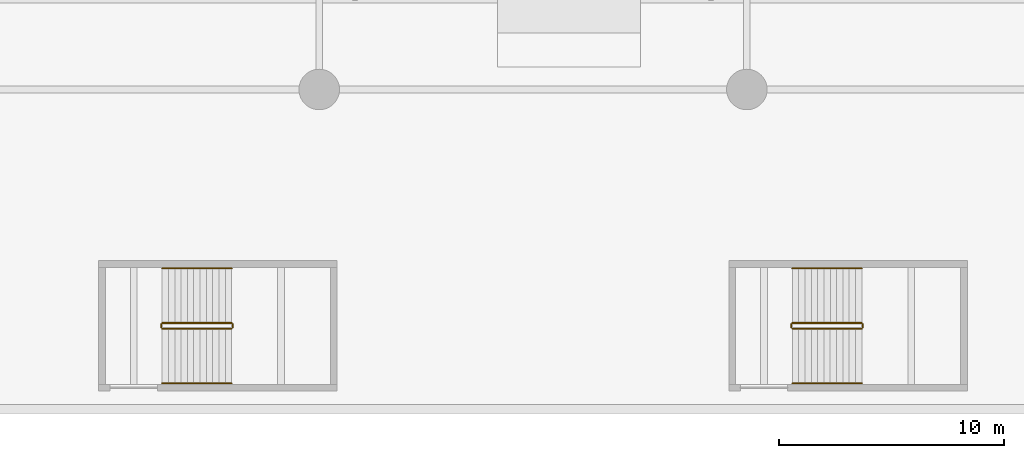
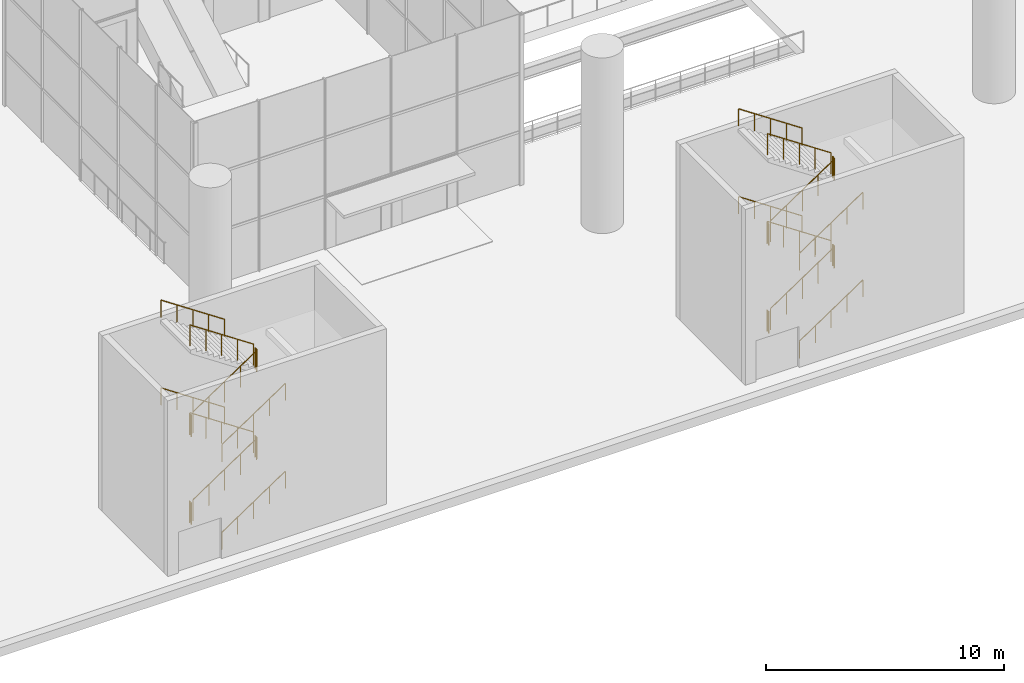
# One storey, part 28 of 37: 24 railings.
"""IFC4 building model written with IfcOpenShell, lengths in metres."""

from ifc_helpers import new_model, si_unit, direction, frame, origin, origin_2d, place, context, subcontext, project, spatial, circle, extrude, material, type_object, element, save


model = new_model("IFC4")

# Units and contexts
model_context = context("Model", 3, precision=1e-05, world=origin(), true_north=direction((0.0, 1.0)))
body_context = subcontext(model_context, "Body", "Model", "MODEL_VIEW")
ifc_project = project(units=[si_unit("LENGTHUNIT", "METRE"), si_unit("AREAUNIT", "SQUARE_METRE"), si_unit("VOLUMEUNIT", "CUBIC_METRE"), si_unit("PLANEANGLEUNIT", "RADIAN"), si_unit("MASSUNIT", "GRAM", prefix="KILO")], contexts=[model_context])

# Site, building, storey
site_placement = place(None, origin())
site = spatial("IfcSite", under=ifc_project, at=site_placement, CompositionType="ELEMENT")
building_placement = place(site_placement, origin())
building = spatial("IfcBuilding", under=site, at=building_placement, Name="Tel Ilan Convention Tower", CompositionType="ELEMENT")
storey_placement = place(building_placement, origin())
storey = spatial("IfcBuildingStorey", under=building, at=storey_placement, Name="L00", CompositionType="ELEMENT", Elevation=0.0)

# Railings
ifc_material_1 = material(Name="Stainless Steel Grade 316", Category="steel")
railing_type_1 = type_object("IfcRailingType", Name="Stainless Steel Stair Guard 1100 mm", PredefinedType="GUARDRAIL", material=ifc_material_1)
railing_1_placement = place(storey_placement, frame((-16.47509765625, -78.625, 0.1875)))
element("IfcRailing", 1, at=railing_1_placement, inside=storey, type_object=railing_type_1, Name="L00 P2 stair guard 1", PredefinedType="GUARDRAIL", context=body_context, shape_type="SweptSolid", body=[
    extrude(circle(Radius=0.02392578125, at=origin_2d()), frame((0.0, 0.0, 1.076171875), z_axis=(0.830913701846, 0.0, 0.55640131208), x_axis=(0.0, 1.0, 0.0)), (0.0, 0.0, 1.0), 3.706787109375),
    extrude(circle(Radius=0.02099609375, at=origin_2d()), origin(), (0.0, 0.0, 1.0), 1.052001953125),
    extrude(circle(Radius=0.02099609375, at=origin_2d()), frame((0.77001953125, 0.0, 0.515625)), (0.0, 0.0, 1.0), 1.052001953125),
    extrude(circle(Radius=0.02099609375, at=origin_2d()), frame((1.5400390625, 0.0, 1.03125)), (0.0, 0.0, 1.0), 1.052001953125),
    extrude(circle(Radius=0.02099609375, at=origin_2d()), frame((2.31005859375, 0.0, 1.546875)), (0.0, 0.0, 1.0), 1.052001953125),
    extrude(circle(Radius=0.02099609375, at=origin_2d()), frame((3.080078125, 0.0, 2.0625)), (0.0, 0.0, 1.0), 1.052001953125),
])
railing_2_placement = place(storey_placement, frame((-13.344970703125, -78.574951171875, 2.25)))
element("IfcRailing", 2, at=railing_2_placement, inside=storey, type_object=railing_type_1, Name="L00 P2 stair guard 2", PredefinedType="GUARDRAIL", context=body_context, shape_type="SweptSolid", body=[
    extrude(circle(Radius=0.02392578125, at=origin_2d()), frame((0.0, 0.0, 1.076171875), z_axis=(0.0, 1.0, 0.0), x_axis=(-1.0, 0.0, 0.0)), (0.0, 0.0, 1.0), 0.14990234375),
    extrude(circle(Radius=0.02099609375, at=origin_2d()), origin(), (0.0, 0.0, 1.0), 1.052001953125),
    extrude(circle(Radius=0.02099609375, at=origin_2d()), frame((0.0, 0.14990234375, 0.0)), (0.0, 0.0, 1.0), 1.052001953125),
])
railing_3_placement = place(storey_placement, frame((-13.39501953125, -78.375, 2.4375)))
element("IfcRailing", 3, at=railing_3_placement, inside=storey, type_object=railing_type_1, Name="L00 P2 stair guard 3", PredefinedType="GUARDRAIL", context=body_context, shape_type="SweptSolid", body=[
    extrude(circle(Radius=0.02392578125, at=origin_2d()), frame((0.0, 0.0, 1.076171875), z_axis=(-0.830913701846, 0.0, 0.55640131208), x_axis=(0.0, -1.0, 0.0)), (0.0, 0.0, 1.0), 3.706787109375),
    extrude(circle(Radius=0.02099609375, at=origin_2d()), origin(), (0.0, 0.0, 1.0), 1.052001953125),
    extrude(circle(Radius=0.02099609375, at=origin_2d()), frame((-0.77001953125, 0.0, 0.515625)), (0.0, 0.0, 1.0), 1.052001953125),
    extrude(circle(Radius=0.02099609375, at=origin_2d()), frame((-1.5400390625, 0.0, 1.03125)), (0.0, 0.0, 1.0), 1.052001953125),
    extrude(circle(Radius=0.02099609375, at=origin_2d()), frame((-2.31005859375, 0.0, 1.546875)), (0.0, 0.0, 1.0), 1.052001953125),
    extrude(circle(Radius=0.02099609375, at=origin_2d()), frame((-3.080078125, 0.0, 2.0625)), (0.0, 0.0, 1.0), 1.052001953125),
])
railing_4_placement = place(storey_placement, frame((-16.52490234375, -78.574951171875, 4.5)))
element("IfcRailing", 4, at=railing_4_placement, inside=storey, type_object=railing_type_1, Name="L00 P2 stair guard 4", PredefinedType="GUARDRAIL", context=body_context, shape_type="SweptSolid", body=[
    extrude(circle(Radius=0.02392578125, at=origin_2d()), frame((0.0, 0.0, 1.076171875), z_axis=(0.0, 1.0, 0.0), x_axis=(-1.0, 0.0, 0.0)), (0.0, 0.0, 1.0), 0.14990234375),
    extrude(circle(Radius=0.02099609375, at=origin_2d()), origin(), (0.0, 0.0, 1.0), 1.052001953125),
    extrude(circle(Radius=0.02099609375, at=origin_2d()), frame((0.0, 0.14990234375, 0.0)), (0.0, 0.0, 1.0), 1.052001953125),
])
railing_5_placement = place(storey_placement, frame((-16.47509765625, -78.625, 4.6875)))
element("IfcRailing", 5, at=railing_5_placement, inside=storey, type_object=railing_type_1, Name="L00 P2 stair guard 5", PredefinedType="GUARDRAIL", context=body_context, shape_type="SweptSolid", body=[
    extrude(circle(Radius=0.02392578125, at=origin_2d()), frame((0.0, 0.0, 1.076171875), z_axis=(0.830913701846, 0.0, 0.55640131208), x_axis=(0.0, 1.0, 0.0)), (0.0, 0.0, 1.0), 3.706787109375),
    extrude(circle(Radius=0.02099609375, at=origin_2d()), origin(), (0.0, 0.0, 1.0), 1.052001953125),
    extrude(circle(Radius=0.02099609375, at=origin_2d()), frame((0.77001953125, 0.0, 0.515625)), (0.0, 0.0, 1.0), 1.052001953125),
    extrude(circle(Radius=0.02099609375, at=origin_2d()), frame((1.5400390625, 0.0, 1.03125)), (0.0, 0.0, 1.0), 1.052001953125),
    extrude(circle(Radius=0.02099609375, at=origin_2d()), frame((2.31005859375, 0.0, 1.546875)), (0.0, 0.0, 1.0), 1.052001953125),
    extrude(circle(Radius=0.02099609375, at=origin_2d()), frame((3.080078125, 0.0, 2.0625)), (0.0, 0.0, 1.0), 1.052001953125),
])
railing_6_placement = place(storey_placement, frame((-13.344970703125, -78.574951171875, 6.75)))
element("IfcRailing", 6, at=railing_6_placement, inside=storey, type_object=railing_type_1, Name="L00 P2 stair guard 6", PredefinedType="GUARDRAIL", context=body_context, shape_type="SweptSolid", body=[
    extrude(circle(Radius=0.02392578125, at=origin_2d()), frame((0.0, 0.0, 1.076171875), z_axis=(0.0, 1.0, 0.0), x_axis=(-1.0, 0.0, 0.0)), (0.0, 0.0, 1.0), 0.14990234375),
    extrude(circle(Radius=0.02099609375, at=origin_2d()), origin(), (0.0, 0.0, 1.0), 1.052001953125),
    extrude(circle(Radius=0.02099609375, at=origin_2d()), frame((0.0, 0.14990234375, 0.0)), (0.0, 0.0, 1.0), 1.052001953125),
])
railing_7_placement = place(storey_placement, frame((-13.39501953125, -78.375, 6.9375)))
element("IfcRailing", 7, at=railing_7_placement, inside=storey, type_object=railing_type_1, Name="L00 P2 stair guard 7", PredefinedType="GUARDRAIL", context=body_context, shape_type="SweptSolid", body=[
    extrude(circle(Radius=0.02392578125, at=origin_2d()), frame((0.0, 0.0, 1.076171875), z_axis=(-0.830913701846, 0.0, 0.55640131208), x_axis=(0.0, -1.0, 0.0)), (0.0, 0.0, 1.0), 3.706787109375),
    extrude(circle(Radius=0.02099609375, at=origin_2d()), origin(), (0.0, 0.0, 1.0), 1.052001953125),
    extrude(circle(Radius=0.02099609375, at=origin_2d()), frame((-0.77001953125, 0.0, 0.515625)), (0.0, 0.0, 1.0), 1.052001953125),
    extrude(circle(Radius=0.02099609375, at=origin_2d()), frame((-1.5400390625, 0.0, 1.03125)), (0.0, 0.0, 1.0), 1.052001953125),
    extrude(circle(Radius=0.02099609375, at=origin_2d()), frame((-2.31005859375, 0.0, 1.546875)), (0.0, 0.0, 1.0), 1.052001953125),
    extrude(circle(Radius=0.02099609375, at=origin_2d()), frame((-3.080078125, 0.0, 2.0625)), (0.0, 0.0, 1.0), 1.052001953125),
])
railing_8_placement = place(storey_placement, frame((-16.52490234375, -78.574951171875, 0.0)))
element("IfcRailing", 8, at=railing_8_placement, inside=storey, type_object=railing_type_1, Name="L00 P2 stair guard 8", PredefinedType="GUARDRAIL", context=body_context, shape_type="SweptSolid", body=[
    extrude(circle(Radius=0.02392578125, at=origin_2d()), frame((0.0, 0.0, 1.076171875), z_axis=(0.0, 1.0, 0.0), x_axis=(-1.0, 0.0, 0.0)), (0.0, 0.0, 1.0), 0.14990234375),
    extrude(circle(Radius=0.02099609375, at=origin_2d()), origin(), (0.0, 0.0, 1.0), 1.052001953125),
    extrude(circle(Radius=0.02099609375, at=origin_2d()), frame((0.0, 0.14990234375, 0.0)), (0.0, 0.0, 1.0), 1.052001953125),
])
railing_9_placement = place(storey_placement, frame((11.52490234375, -78.625, 0.1875)))
element("IfcRailing", 9, at=railing_9_placement, inside=storey, type_object=railing_type_1, Name="L00 P3 stair guard 1", PredefinedType="GUARDRAIL", context=body_context, shape_type="SweptSolid", body=[
    extrude(circle(Radius=0.02392578125, at=origin_2d()), frame((0.0, 0.0, 1.076171875), z_axis=(0.830913701846, 0.0, 0.55640131208), x_axis=(0.0, 1.0, 0.0)), (0.0, 0.0, 1.0), 3.706787109375),
    extrude(circle(Radius=0.02099609375, at=origin_2d()), origin(), (0.0, 0.0, 1.0), 1.052001953125),
    extrude(circle(Radius=0.02099609375, at=origin_2d()), frame((0.77001953125, 0.0, 0.515625)), (0.0, 0.0, 1.0), 1.052001953125),
    extrude(circle(Radius=0.02099609375, at=origin_2d()), frame((1.5400390625, 0.0, 1.03125)), (0.0, 0.0, 1.0), 1.052001953125),
    extrude(circle(Radius=0.02099609375, at=origin_2d()), frame((2.31005859375, 0.0, 1.546875)), (0.0, 0.0, 1.0), 1.052001953125),
    extrude(circle(Radius=0.02099609375, at=origin_2d()), frame((3.080078125, 0.0, 2.0625)), (0.0, 0.0, 1.0), 1.052001953125),
])
railing_10_placement = place(storey_placement, frame((14.655029296875, -78.574951171875, 2.25)))
element("IfcRailing", 10, at=railing_10_placement, inside=storey, type_object=railing_type_1, Name="L00 P3 stair guard 2", PredefinedType="GUARDRAIL", context=body_context, shape_type="SweptSolid", body=[
    extrude(circle(Radius=0.02392578125, at=origin_2d()), frame((0.0, 0.0, 1.076171875), z_axis=(0.0, 1.0, 0.0), x_axis=(-1.0, 0.0, 0.0)), (0.0, 0.0, 1.0), 0.14990234375),
    extrude(circle(Radius=0.02099609375, at=origin_2d()), origin(), (0.0, 0.0, 1.0), 1.052001953125),
    extrude(circle(Radius=0.02099609375, at=origin_2d()), frame((0.0, 0.14990234375, 0.0)), (0.0, 0.0, 1.0), 1.052001953125),
])
railing_11_placement = place(storey_placement, frame((14.60498046875, -78.375, 2.4375)))
element("IfcRailing", 11, at=railing_11_placement, inside=storey, type_object=railing_type_1, Name="L00 P3 stair guard 3", PredefinedType="GUARDRAIL", context=body_context, shape_type="SweptSolid", body=[
    extrude(circle(Radius=0.02392578125, at=origin_2d()), frame((0.0, 0.0, 1.076171875), z_axis=(-0.830913701846, 0.0, 0.55640131208), x_axis=(0.0, -1.0, 0.0)), (0.0, 0.0, 1.0), 3.706787109375),
    extrude(circle(Radius=0.02099609375, at=origin_2d()), origin(), (0.0, 0.0, 1.0), 1.052001953125),
    extrude(circle(Radius=0.02099609375, at=origin_2d()), frame((-0.77001953125, 0.0, 0.515625)), (0.0, 0.0, 1.0), 1.052001953125),
    extrude(circle(Radius=0.02099609375, at=origin_2d()), frame((-1.5400390625, 0.0, 1.03125)), (0.0, 0.0, 1.0), 1.052001953125),
    extrude(circle(Radius=0.02099609375, at=origin_2d()), frame((-2.31005859375, 0.0, 1.546875)), (0.0, 0.0, 1.0), 1.052001953125),
    extrude(circle(Radius=0.02099609375, at=origin_2d()), frame((-3.080078125, 0.0, 2.0625)), (0.0, 0.0, 1.0), 1.052001953125),
])
railing_12_placement = place(storey_placement, frame((11.47509765625, -78.574951171875, 4.5)))
element("IfcRailing", 12, at=railing_12_placement, inside=storey, type_object=railing_type_1, Name="L00 P3 stair guard 4", PredefinedType="GUARDRAIL", context=body_context, shape_type="SweptSolid", body=[
    extrude(circle(Radius=0.02392578125, at=origin_2d()), frame((0.0, 0.0, 1.076171875), z_axis=(0.0, 1.0, 0.0), x_axis=(-1.0, 0.0, 0.0)), (0.0, 0.0, 1.0), 0.14990234375),
    extrude(circle(Radius=0.02099609375, at=origin_2d()), origin(), (0.0, 0.0, 1.0), 1.052001953125),
    extrude(circle(Radius=0.02099609375, at=origin_2d()), frame((0.0, 0.14990234375, 0.0)), (0.0, 0.0, 1.0), 1.052001953125),
])
railing_13_placement = place(storey_placement, frame((11.52490234375, -78.625, 4.6875)))
element("IfcRailing", 13, at=railing_13_placement, inside=storey, type_object=railing_type_1, Name="L00 P3 stair guard 5", PredefinedType="GUARDRAIL", context=body_context, shape_type="SweptSolid", body=[
    extrude(circle(Radius=0.02392578125, at=origin_2d()), frame((0.0, 0.0, 1.076171875), z_axis=(0.830913701846, 0.0, 0.55640131208), x_axis=(0.0, 1.0, 0.0)), (0.0, 0.0, 1.0), 3.706787109375),
    extrude(circle(Radius=0.02099609375, at=origin_2d()), origin(), (0.0, 0.0, 1.0), 1.052001953125),
    extrude(circle(Radius=0.02099609375, at=origin_2d()), frame((0.77001953125, 0.0, 0.515625)), (0.0, 0.0, 1.0), 1.052001953125),
    extrude(circle(Radius=0.02099609375, at=origin_2d()), frame((1.5400390625, 0.0, 1.03125)), (0.0, 0.0, 1.0), 1.052001953125),
    extrude(circle(Radius=0.02099609375, at=origin_2d()), frame((2.31005859375, 0.0, 1.546875)), (0.0, 0.0, 1.0), 1.052001953125),
    extrude(circle(Radius=0.02099609375, at=origin_2d()), frame((3.080078125, 0.0, 2.0625)), (0.0, 0.0, 1.0), 1.052001953125),
])
railing_14_placement = place(storey_placement, frame((14.655029296875, -78.574951171875, 6.75)))
element("IfcRailing", 14, at=railing_14_placement, inside=storey, type_object=railing_type_1, Name="L00 P3 stair guard 6", PredefinedType="GUARDRAIL", context=body_context, shape_type="SweptSolid", body=[
    extrude(circle(Radius=0.02392578125, at=origin_2d()), frame((0.0, 0.0, 1.076171875), z_axis=(0.0, 1.0, 0.0), x_axis=(-1.0, 0.0, 0.0)), (0.0, 0.0, 1.0), 0.14990234375),
    extrude(circle(Radius=0.02099609375, at=origin_2d()), origin(), (0.0, 0.0, 1.0), 1.052001953125),
    extrude(circle(Radius=0.02099609375, at=origin_2d()), frame((0.0, 0.14990234375, 0.0)), (0.0, 0.0, 1.0), 1.052001953125),
])
railing_15_placement = place(storey_placement, frame((14.60498046875, -78.375, 6.9375)))
element("IfcRailing", 15, at=railing_15_placement, inside=storey, type_object=railing_type_1, Name="L00 P3 stair guard 7", PredefinedType="GUARDRAIL", context=body_context, shape_type="SweptSolid", body=[
    extrude(circle(Radius=0.02392578125, at=origin_2d()), frame((0.0, 0.0, 1.076171875), z_axis=(-0.830913701846, 0.0, 0.55640131208), x_axis=(0.0, -1.0, 0.0)), (0.0, 0.0, 1.0), 3.706787109375),
    extrude(circle(Radius=0.02099609375, at=origin_2d()), origin(), (0.0, 0.0, 1.0), 1.052001953125),
    extrude(circle(Radius=0.02099609375, at=origin_2d()), frame((-0.77001953125, 0.0, 0.515625)), (0.0, 0.0, 1.0), 1.052001953125),
    extrude(circle(Radius=0.02099609375, at=origin_2d()), frame((-1.5400390625, 0.0, 1.03125)), (0.0, 0.0, 1.0), 1.052001953125),
    extrude(circle(Radius=0.02099609375, at=origin_2d()), frame((-2.31005859375, 0.0, 1.546875)), (0.0, 0.0, 1.0), 1.052001953125),
    extrude(circle(Radius=0.02099609375, at=origin_2d()), frame((-3.080078125, 0.0, 2.0625)), (0.0, 0.0, 1.0), 1.052001953125),
])
railing_16_placement = place(storey_placement, frame((11.47509765625, -78.574951171875, 0.0)))
element("IfcRailing", 16, at=railing_16_placement, inside=storey, type_object=railing_type_1, Name="L00 P3 stair guard 8", PredefinedType="GUARDRAIL", context=body_context, shape_type="SweptSolid", body=[
    extrude(circle(Radius=0.02392578125, at=origin_2d()), frame((0.0, 0.0, 1.076171875), z_axis=(0.0, 1.0, 0.0), x_axis=(-1.0, 0.0, 0.0)), (0.0, 0.0, 1.0), 0.14990234375),
    extrude(circle(Radius=0.02099609375, at=origin_2d()), origin(), (0.0, 0.0, 1.0), 1.052001953125),
    extrude(circle(Radius=0.02099609375, at=origin_2d()), frame((0.0, 0.14990234375, 0.0)), (0.0, 0.0, 1.0), 1.052001953125),
])
ifc_material_2 = material(Name="Stainless Steel Grade 316", Category="steel")
railing_type_2 = type_object("IfcRailingType", Name="Stainless Steel Stair Handrail 900 mm", PredefinedType="HANDRAIL", material=ifc_material_2)
railing_17_placement = place(storey_placement, frame((-16.47509765625, -81.050048828125, 0.1875)))
element("IfcRailing", 17, at=railing_17_placement, inside=storey, type_object=railing_type_2, Name="L00 P2 stair handrail 1", PredefinedType="HANDRAIL", context=body_context, shape_type="SweptSolid", body=[
    extrude(circle(Radius=0.02392578125, at=origin_2d()), frame((0.0, 0.0, 0.8759765625), z_axis=(0.830913701846, 0.0, 0.55640131208), x_axis=(0.0, 1.0, 0.0)), (0.0, 0.0, 1.0), 3.706787109375),
    extrude(circle(Radius=0.02099609375, at=origin_2d()), origin(), (0.0, 0.0, 1.0), 0.851806640625),
    extrude(circle(Radius=0.02099609375, at=origin_2d()), frame((0.77001953125, 0.0, 0.515625)), (0.0, 0.0, 1.0), 0.851806640625),
    extrude(circle(Radius=0.02099609375, at=origin_2d()), frame((1.5400390625, 0.0, 1.03125)), (0.0, 0.0, 1.0), 0.851806640625),
    extrude(circle(Radius=0.02099609375, at=origin_2d()), frame((2.31005859375, 0.0, 1.546875)), (0.0, 0.0, 1.0), 0.851806640625),
    extrude(circle(Radius=0.02099609375, at=origin_2d()), frame((3.080078125, 0.0, 2.0625)), (0.0, 0.0, 1.0), 0.851806640625),
])
railing_18_placement = place(storey_placement, frame((-13.39501953125, -75.949951171875, 2.4375)))
element("IfcRailing", 18, at=railing_18_placement, inside=storey, type_object=railing_type_2, Name="L00 P2 stair handrail 2", PredefinedType="HANDRAIL", context=body_context, shape_type="SweptSolid", body=[
    extrude(circle(Radius=0.02392578125, at=origin_2d()), frame((0.0, 0.0, 0.8759765625), z_axis=(-0.830913701846, 0.0, 0.55640131208), x_axis=(0.0, -1.0, 0.0)), (0.0, 0.0, 1.0), 3.706787109375),
    extrude(circle(Radius=0.02099609375, at=origin_2d()), origin(), (0.0, 0.0, 1.0), 0.851806640625),
    extrude(circle(Radius=0.02099609375, at=origin_2d()), frame((-0.77001953125, 0.0, 0.515625)), (0.0, 0.0, 1.0), 0.851806640625),
    extrude(circle(Radius=0.02099609375, at=origin_2d()), frame((-1.5400390625, 0.0, 1.03125)), (0.0, 0.0, 1.0), 0.851806640625),
    extrude(circle(Radius=0.02099609375, at=origin_2d()), frame((-2.31005859375, 0.0, 1.546875)), (0.0, 0.0, 1.0), 0.851806640625),
    extrude(circle(Radius=0.02099609375, at=origin_2d()), frame((-3.080078125, 0.0, 2.0625)), (0.0, 0.0, 1.0), 0.851806640625),
])
railing_19_placement = place(storey_placement, frame((-16.47509765625, -81.050048828125, 4.6875)))
element("IfcRailing", 19, at=railing_19_placement, inside=storey, type_object=railing_type_2, Name="L00 P2 stair handrail 3", PredefinedType="HANDRAIL", context=body_context, shape_type="SweptSolid", body=[
    extrude(circle(Radius=0.02392578125, at=origin_2d()), frame((0.0, 0.0, 0.8759765625), z_axis=(0.830913701846, 0.0, 0.55640131208), x_axis=(0.0, 1.0, 0.0)), (0.0, 0.0, 1.0), 3.706787109375),
    extrude(circle(Radius=0.02099609375, at=origin_2d()), origin(), (0.0, 0.0, 1.0), 0.851806640625),
    extrude(circle(Radius=0.02099609375, at=origin_2d()), frame((0.77001953125, 0.0, 0.515625)), (0.0, 0.0, 1.0), 0.851806640625),
    extrude(circle(Radius=0.02099609375, at=origin_2d()), frame((1.5400390625, 0.0, 1.03125)), (0.0, 0.0, 1.0), 0.851806640625),
    extrude(circle(Radius=0.02099609375, at=origin_2d()), frame((2.31005859375, 0.0, 1.546875)), (0.0, 0.0, 1.0), 0.851806640625),
    extrude(circle(Radius=0.02099609375, at=origin_2d()), frame((3.080078125, 0.0, 2.0625)), (0.0, 0.0, 1.0), 0.851806640625),
])
railing_20_placement = place(storey_placement, frame((-13.39501953125, -75.949951171875, 6.9375)))
element("IfcRailing", 20, at=railing_20_placement, inside=storey, type_object=railing_type_2, Name="L00 P2 stair handrail 4", PredefinedType="HANDRAIL", context=body_context, shape_type="SweptSolid", body=[
    extrude(circle(Radius=0.02392578125, at=origin_2d()), frame((0.0, 0.0, 0.8759765625), z_axis=(-0.830913701846, 0.0, 0.55640131208), x_axis=(0.0, -1.0, 0.0)), (0.0, 0.0, 1.0), 3.706787109375),
    extrude(circle(Radius=0.02099609375, at=origin_2d()), origin(), (0.0, 0.0, 1.0), 0.851806640625),
    extrude(circle(Radius=0.02099609375, at=origin_2d()), frame((-0.77001953125, 0.0, 0.515625)), (0.0, 0.0, 1.0), 0.851806640625),
    extrude(circle(Radius=0.02099609375, at=origin_2d()), frame((-1.5400390625, 0.0, 1.03125)), (0.0, 0.0, 1.0), 0.851806640625),
    extrude(circle(Radius=0.02099609375, at=origin_2d()), frame((-2.31005859375, 0.0, 1.546875)), (0.0, 0.0, 1.0), 0.851806640625),
    extrude(circle(Radius=0.02099609375, at=origin_2d()), frame((-3.080078125, 0.0, 2.0625)), (0.0, 0.0, 1.0), 0.851806640625),
])
railing_21_placement = place(storey_placement, frame((11.52490234375, -81.050048828125, 0.1875)))
element("IfcRailing", 21, at=railing_21_placement, inside=storey, type_object=railing_type_2, Name="L00 P3 stair handrail 1", PredefinedType="HANDRAIL", context=body_context, shape_type="SweptSolid", body=[
    extrude(circle(Radius=0.02392578125, at=origin_2d()), frame((0.0, 0.0, 0.8759765625), z_axis=(0.830913701846, 0.0, 0.55640131208), x_axis=(0.0, 1.0, 0.0)), (0.0, 0.0, 1.0), 3.706787109375),
    extrude(circle(Radius=0.02099609375, at=origin_2d()), origin(), (0.0, 0.0, 1.0), 0.851806640625),
    extrude(circle(Radius=0.02099609375, at=origin_2d()), frame((0.77001953125, 0.0, 0.515625)), (0.0, 0.0, 1.0), 0.851806640625),
    extrude(circle(Radius=0.02099609375, at=origin_2d()), frame((1.5400390625, 0.0, 1.03125)), (0.0, 0.0, 1.0), 0.851806640625),
    extrude(circle(Radius=0.02099609375, at=origin_2d()), frame((2.31005859375, 0.0, 1.546875)), (0.0, 0.0, 1.0), 0.851806640625),
    extrude(circle(Radius=0.02099609375, at=origin_2d()), frame((3.080078125, 0.0, 2.0625)), (0.0, 0.0, 1.0), 0.851806640625),
])
railing_22_placement = place(storey_placement, frame((14.60498046875, -75.949951171875, 2.4375)))
element("IfcRailing", 22, at=railing_22_placement, inside=storey, type_object=railing_type_2, Name="L00 P3 stair handrail 2", PredefinedType="HANDRAIL", context=body_context, shape_type="SweptSolid", body=[
    extrude(circle(Radius=0.02392578125, at=origin_2d()), frame((0.0, 0.0, 0.8759765625), z_axis=(-0.830913701846, 0.0, 0.55640131208), x_axis=(0.0, -1.0, 0.0)), (0.0, 0.0, 1.0), 3.706787109375),
    extrude(circle(Radius=0.02099609375, at=origin_2d()), origin(), (0.0, 0.0, 1.0), 0.851806640625),
    extrude(circle(Radius=0.02099609375, at=origin_2d()), frame((-0.77001953125, 0.0, 0.515625)), (0.0, 0.0, 1.0), 0.851806640625),
    extrude(circle(Radius=0.02099609375, at=origin_2d()), frame((-1.5400390625, 0.0, 1.03125)), (0.0, 0.0, 1.0), 0.851806640625),
    extrude(circle(Radius=0.02099609375, at=origin_2d()), frame((-2.31005859375, 0.0, 1.546875)), (0.0, 0.0, 1.0), 0.851806640625),
    extrude(circle(Radius=0.02099609375, at=origin_2d()), frame((-3.080078125, 0.0, 2.0625)), (0.0, 0.0, 1.0), 0.851806640625),
])
railing_23_placement = place(storey_placement, frame((11.52490234375, -81.050048828125, 4.6875)))
element("IfcRailing", 23, at=railing_23_placement, inside=storey, type_object=railing_type_2, Name="L00 P3 stair handrail 3", PredefinedType="HANDRAIL", context=body_context, shape_type="SweptSolid", body=[
    extrude(circle(Radius=0.02392578125, at=origin_2d()), frame((0.0, 0.0, 0.8759765625), z_axis=(0.830913701846, 0.0, 0.55640131208), x_axis=(0.0, 1.0, 0.0)), (0.0, 0.0, 1.0), 3.706787109375),
    extrude(circle(Radius=0.02099609375, at=origin_2d()), origin(), (0.0, 0.0, 1.0), 0.851806640625),
    extrude(circle(Radius=0.02099609375, at=origin_2d()), frame((0.77001953125, 0.0, 0.515625)), (0.0, 0.0, 1.0), 0.851806640625),
    extrude(circle(Radius=0.02099609375, at=origin_2d()), frame((1.5400390625, 0.0, 1.03125)), (0.0, 0.0, 1.0), 0.851806640625),
    extrude(circle(Radius=0.02099609375, at=origin_2d()), frame((2.31005859375, 0.0, 1.546875)), (0.0, 0.0, 1.0), 0.851806640625),
    extrude(circle(Radius=0.02099609375, at=origin_2d()), frame((3.080078125, 0.0, 2.0625)), (0.0, 0.0, 1.0), 0.851806640625),
])
railing_24_placement = place(storey_placement, frame((14.60498046875, -75.949951171875, 6.9375)))
element("IfcRailing", 24, at=railing_24_placement, inside=storey, type_object=railing_type_2, Name="L00 P3 stair handrail 4", PredefinedType="HANDRAIL", context=body_context, shape_type="SweptSolid", body=[
    extrude(circle(Radius=0.02392578125, at=origin_2d()), frame((0.0, 0.0, 0.8759765625), z_axis=(-0.830913701846, 0.0, 0.55640131208), x_axis=(0.0, -1.0, 0.0)), (0.0, 0.0, 1.0), 3.706787109375),
    extrude(circle(Radius=0.02099609375, at=origin_2d()), origin(), (0.0, 0.0, 1.0), 0.851806640625),
    extrude(circle(Radius=0.02099609375, at=origin_2d()), frame((-0.77001953125, 0.0, 0.515625)), (0.0, 0.0, 1.0), 0.851806640625),
    extrude(circle(Radius=0.02099609375, at=origin_2d()), frame((-1.5400390625, 0.0, 1.03125)), (0.0, 0.0, 1.0), 0.851806640625),
    extrude(circle(Radius=0.02099609375, at=origin_2d()), frame((-2.31005859375, 0.0, 1.546875)), (0.0, 0.0, 1.0), 0.851806640625),
    extrude(circle(Radius=0.02099609375, at=origin_2d()), frame((-3.080078125, 0.0, 2.0625)), (0.0, 0.0, 1.0), 0.851806640625),
])

save(model, "model.ifc")
